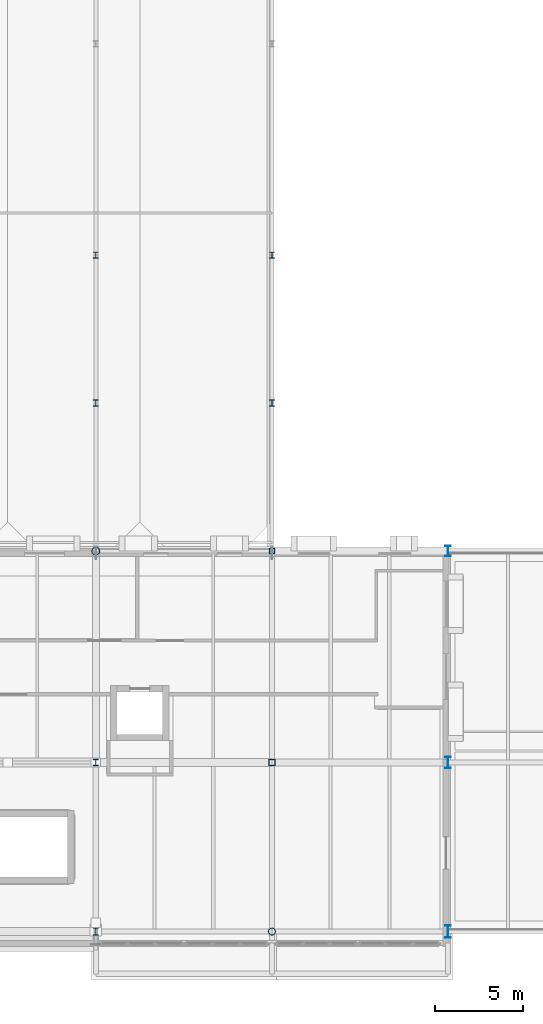
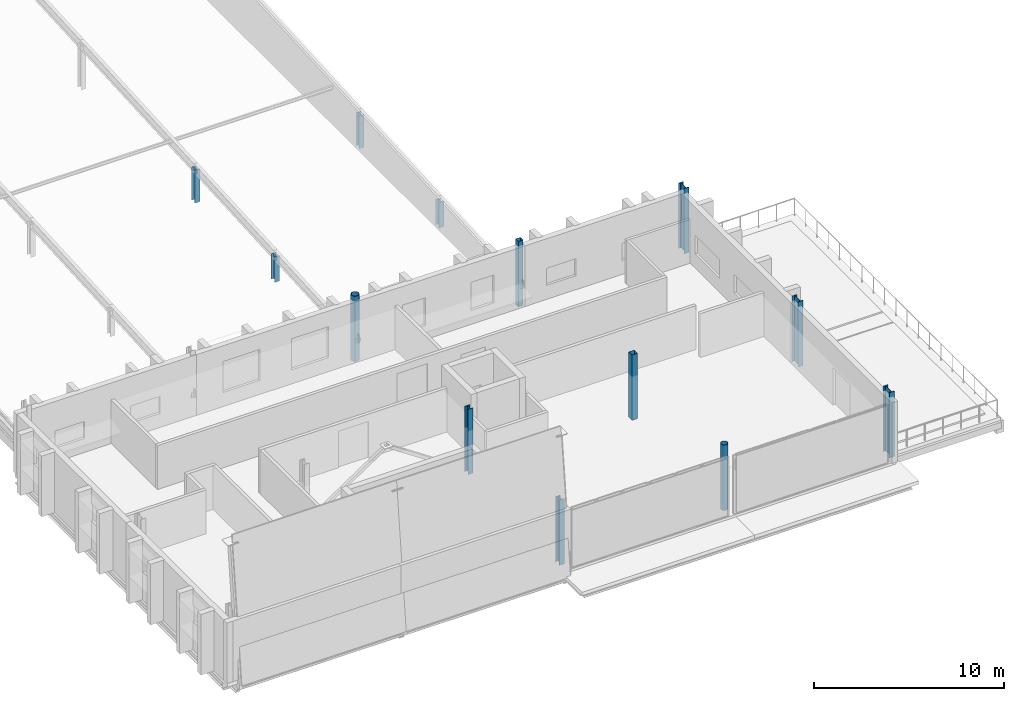
# One storey, part 11 of 57: 13 columns.
"""IFC4 building model written with IfcOpenShell, lengths in metres."""

from ifc_helpers import new_model, si_unit, direction, frame, origin, origin_2d, place, context, subcontext, project, spatial, hollow_rectangle, hollow_circle, i_section, extrude, material, material_profile, profile_set, type_object, element, save


model = new_model("IFC4")

# Units and contexts
model_context = context("Model", 3, precision=1e-05, world=origin(), true_north=direction((0.0, 1.0)))
body_context = subcontext(model_context, "Body", "Model", "MODEL_VIEW")
ifc_project = project(units=[si_unit("LENGTHUNIT", "METRE"), si_unit("AREAUNIT", "SQUARE_METRE"), si_unit("VOLUMEUNIT", "CUBIC_METRE"), si_unit("PLANEANGLEUNIT", "RADIAN"), si_unit("MASSUNIT", "GRAM", prefix="KILO")], contexts=[model_context])

# Site, building, storey
site_placement = place(None, origin())
site = spatial("IfcSite", under=ifc_project, at=site_placement, CompositionType="ELEMENT")
building_placement = place(site_placement, origin())
building = spatial("IfcBuilding", under=site, at=building_placement, Name="Zereglee Splitstone Museum", CompositionType="ELEMENT")
storey_placement = place(building_placement, frame((0.0, 0.0, 17.10009765625)))
storey = spatial("IfcBuildingStorey", under=building, at=storey_placement, Name="L03", CompositionType="ELEMENT", Elevation=17.10009765625)

# Columns
ifc_material_1 = material(Name="Steel S355J2H", Category="steel")
ifc_material_profile_1 = material_profile(ifc_material_1, hollow_circle(Radius=0.203125, WallThickness=0.02001953125, at=origin_2d()), Name="CHS 406.4x20")
ifc_profile_set_1 = profile_set([ifc_material_profile_1], Name="Steel S355J2H")
column_type_1 = type_object("IfcColumnType", Name="C-18", PredefinedType="COLUMN", material=ifc_profile_set_1)
column_1_placement = place(storey_placement, frame((205.199951171875, 0.0, 0.0), z_axis=(0.0, 0.0, 1.0), x_axis=(1.0, 0.0, 0.0)))
element("IfcColumn", 1, at=column_1_placement, inside=storey, type_object=column_type_1, Name="Column 23/A L03", PredefinedType="COLUMN", context=body_context, shape_type="SweptSolid", body=[
    extrude(hollow_circle(Radius=0.203125, WallThickness=0.02001953125, at=origin_2d()), origin(), (0.0, 0.0, 1.0), 4.199951171875),
])
ifc_material_profile_2 = material_profile(ifc_material_1, hollow_circle(Radius=0.228515625, WallThickness=0.02001953125, at=origin_2d()), Name="CHS 457.0x20")
ifc_profile_set_2 = profile_set([ifc_material_profile_2], Name="Steel S355J2H")
column_type_2 = type_object("IfcColumnType", Name="C-17", PredefinedType="COLUMN", material=ifc_profile_set_2)
column_2_placement = place(storey_placement, frame((195.199951171875, 21.60009765625, 0.0), z_axis=(0.0, 0.0, 1.0), x_axis=(1.0, 0.0, 0.0)))
element("IfcColumn", 2, at=column_2_placement, inside=storey, type_object=column_type_2, Name="Column 22/C L03", PredefinedType="COLUMN", context=body_context, shape_type="SweptSolid", body=[
    extrude(hollow_circle(Radius=0.228515625, WallThickness=0.02001953125, at=origin_2d()), origin(), (0.0, 0.0, 1.0), 4.199951171875),
])
ifc_material_2 = material(Name="Steel S355J2", Category="steel")
ifc_material_profile_3 = material_profile(ifc_material_2, i_section(OverallWidth=0.300048828125, OverallDepth=0.360107421875, WebThickness=0.012451171875, FlangeThickness=0.0224609375, FilletRadius=0.027099609375, at=origin_2d()), Name="HE 360 B")
ifc_profile_set_3 = profile_set([ifc_material_profile_3], Name="Steel S355J2")
column_type_3 = type_object("IfcColumnType", Name="C-16", PredefinedType="COLUMN", material=ifc_profile_set_3)
column_3_placement = place(storey_placement, frame((195.199951171875, 9.60009765625, 0.0), z_axis=(0.0, 0.0, 1.0), x_axis=(1.0, 0.0, 0.0)))
element("IfcColumn", 3, at=column_3_placement, inside=storey, type_object=column_type_3, Name="Column 22/B L03", PredefinedType="COLUMN", context=body_context, shape_type="SweptSolid", body=[
    extrude(i_section(OverallWidth=0.300048828125, OverallDepth=0.360107421875, WebThickness=0.012451171875, FlangeThickness=0.0224609375, FilletRadius=0.027099609375, at=origin_2d()), origin(), (0.0, 0.0, 1.0), 4.199951171875),
])
column_4_placement = place(storey_placement, frame((195.199951171875, 30.0, 0.0), z_axis=(0.0, 0.0, 1.0), x_axis=(1.0, 0.0, 0.0)))
element("IfcColumn", 4, at=column_4_placement, inside=storey, type_object=column_type_3, Name="Roof Support Column RF-V4 (195.2,30.0)", PredefinedType="COLUMN", context=body_context, shape_type="SweptSolid", body=[
    extrude(i_section(OverallWidth=0.300048828125, OverallDepth=0.360107421875, WebThickness=0.012451171875, FlangeThickness=0.0224609375, FilletRadius=0.027099609375, at=origin_2d()), origin(), (0.0, 0.0, 1.0), 1.640380859375),
])
column_5_placement = place(storey_placement, frame((195.199951171875, 38.39990234375, 0.0), z_axis=(0.0, 0.0, 1.0), x_axis=(1.0, 0.0, 0.0)))
element("IfcColumn", 5, at=column_5_placement, inside=storey, type_object=column_type_3, Name="Roof Support Column RF-V4 (195.2,38.4)", PredefinedType="COLUMN", context=body_context, shape_type="SweptSolid", body=[
    extrude(i_section(OverallWidth=0.300048828125, OverallDepth=0.360107421875, WebThickness=0.012451171875, FlangeThickness=0.0224609375, FilletRadius=0.027099609375, at=origin_2d()), origin(), (0.0, 0.0, 1.0), 2.12158203125),
])
column_6_placement = place(storey_placement, frame((205.199951171875, 30.0, 0.0), z_axis=(0.0, 0.0, 1.0), x_axis=(1.0, 0.0, 0.0)))
element("IfcColumn", 6, at=column_6_placement, inside=storey, type_object=column_type_3, Name="Roof Support Column RF-V4 (205.2,30.0)", PredefinedType="COLUMN", context=body_context, shape_type="SweptSolid", body=[
    extrude(i_section(OverallWidth=0.300048828125, OverallDepth=0.360107421875, WebThickness=0.012451171875, FlangeThickness=0.0224609375, FilletRadius=0.027099609375, at=origin_2d()), origin(), (0.0, 0.0, 1.0), 1.640380859375),
])
column_7_placement = place(storey_placement, frame((205.199951171875, 38.39990234375, 0.0), z_axis=(0.0, 0.0, 1.0), x_axis=(1.0, 0.0, 0.0)))
element("IfcColumn", 7, at=column_7_placement, inside=storey, type_object=column_type_3, Name="Roof Support Column RF-V4 (205.2,38.4)", PredefinedType="COLUMN", context=body_context, shape_type="SweptSolid", body=[
    extrude(i_section(OverallWidth=0.300048828125, OverallDepth=0.360107421875, WebThickness=0.012451171875, FlangeThickness=0.0224609375, FilletRadius=0.027099609375, at=origin_2d()), origin(), (0.0, 0.0, 1.0), 2.12158203125),
])
ifc_material_profile_4 = material_profile(ifc_material_2, i_section(OverallWidth=0.300048828125, OverallDepth=0.39990234375, WebThickness=0.013427734375, FlangeThickness=0.02392578125, FilletRadius=0.027099609375, at=origin_2d()), Name="HE 400 B")
ifc_profile_set_4 = profile_set([ifc_material_profile_4], Name="Steel S355J2")
column_type_4 = type_object("IfcColumnType", Name="C-15", PredefinedType="COLUMN", material=ifc_profile_set_4)
column_8_placement = place(storey_placement, frame((195.199951171875, 0.0, 0.0), z_axis=(0.0, 0.0, 1.0), x_axis=(1.0, 0.0, 0.0)))
element("IfcColumn", 8, at=column_8_placement, inside=storey, type_object=column_type_4, Name="Column 22/A L03", PredefinedType="COLUMN", context=body_context, shape_type="SweptSolid", body=[
    extrude(i_section(OverallWidth=0.300048828125, OverallDepth=0.39990234375, WebThickness=0.013427734375, FlangeThickness=0.02392578125, FilletRadius=0.027099609375, at=origin_2d()), origin(), (0.0, 0.0, 1.0), 4.199951171875),
])
ifc_material_profile_5 = material_profile(ifc_material_2, i_section(OverallWidth=0.300048828125, OverallDepth=0.60009765625, WebThickness=0.015380859375, FlangeThickness=0.030029296875, FilletRadius=0.027099609375, at=origin_2d()), Name="HE 600 B")
ifc_profile_set_5 = profile_set([ifc_material_profile_5], Name="Steel S355J2")
column_type_5 = type_object("IfcColumnType", Name="C-11", PredefinedType="COLUMN", material=ifc_profile_set_5)
column_9_placement = place(storey_placement, frame((215.199951171875, 21.60009765625, 0.0), z_axis=(0.0, 0.0, 1.0), x_axis=(1.0, 0.0, 0.0)))
element("IfcColumn", 9, at=column_9_placement, inside=storey, type_object=column_type_5, Name="Column 24/C L03", PredefinedType="COLUMN", context=body_context, shape_type="SweptSolid", body=[
    extrude(i_section(OverallWidth=0.300048828125, OverallDepth=0.60009765625, WebThickness=0.015380859375, FlangeThickness=0.030029296875, FilletRadius=0.027099609375, at=origin_2d()), origin(), (0.0, 0.0, 1.0), 4.199951171875),
])
ifc_material_profile_6 = material_profile(ifc_material_2, i_section(OverallWidth=0.300048828125, OverallDepth=0.64990234375, WebThickness=0.01611328125, FlangeThickness=0.031005859375, FilletRadius=0.027099609375, at=origin_2d()), Name="HE 650 B")
ifc_profile_set_6 = profile_set([ifc_material_profile_6], Name="Steel S355J2")
column_type_6 = type_object("IfcColumnType", Name="C-10", PredefinedType="COLUMN", material=ifc_profile_set_6)
column_10_placement = place(storey_placement, frame((215.199951171875, 9.60009765625, 0.0), z_axis=(0.0, 0.0, 1.0), x_axis=(1.0, 0.0, 0.0)))
element("IfcColumn", 10, at=column_10_placement, inside=storey, type_object=column_type_6, Name="Column 24/B L03", PredefinedType="COLUMN", context=body_context, shape_type="SweptSolid", body=[
    extrude(i_section(OverallWidth=0.300048828125, OverallDepth=0.64990234375, WebThickness=0.01611328125, FlangeThickness=0.031005859375, FilletRadius=0.027099609375, at=origin_2d()), origin(), (0.0, 0.0, 1.0), 4.199951171875),
])
ifc_material_profile_7 = material_profile(ifc_material_2, i_section(OverallWidth=0.300048828125, OverallDepth=0.699951171875, WebThickness=0.01708984375, FlangeThickness=0.031982421875, FilletRadius=0.027099609375, at=origin_2d()), Name="HE 700 B")
ifc_profile_set_7 = profile_set([ifc_material_profile_7], Name="Steel S355J2")
column_type_7 = type_object("IfcColumnType", Name="C-09", PredefinedType="COLUMN", material=ifc_profile_set_7)
column_11_placement = place(storey_placement, frame((215.199951171875, 0.0, 0.0), z_axis=(0.0, 0.0, 1.0), x_axis=(1.0, 0.0, 0.0)))
element("IfcColumn", 11, at=column_11_placement, inside=storey, type_object=column_type_7, Name="Column 24/A L03", PredefinedType="COLUMN", context=body_context, shape_type="SweptSolid", body=[
    extrude(i_section(OverallWidth=0.300048828125, OverallDepth=0.699951171875, WebThickness=0.01708984375, FlangeThickness=0.031982421875, FilletRadius=0.027099609375, at=origin_2d()), origin(), (0.0, 0.0, 1.0), 4.199951171875),
])
ifc_material_profile_8 = material_profile(ifc_material_1, hollow_rectangle(XDim=0.300048828125, YDim=0.300048828125, WallThickness=0.01611328125, at=origin_2d()), Name="SHS 300x300x16")
ifc_profile_set_8 = profile_set([ifc_material_profile_8], Name="Steel S355J2H")
column_type_8 = type_object("IfcColumnType", Name="C-20", PredefinedType="COLUMN", material=ifc_profile_set_8)
column_12_placement = place(storey_placement, frame((205.199951171875, 21.60009765625, 0.0), z_axis=(0.0, 0.0, 1.0), x_axis=(1.0, 0.0, 0.0)))
element("IfcColumn", 12, at=column_12_placement, inside=storey, type_object=column_type_8, Name="Column 23/C L03", PredefinedType="COLUMN", context=body_context, shape_type="SweptSolid", body=[
    extrude(hollow_rectangle(XDim=0.300048828125, YDim=0.300048828125, WallThickness=0.01611328125, at=origin_2d()), origin(), (0.0, 0.0, 1.0), 4.199951171875),
])
ifc_material_profile_9 = material_profile(ifc_material_1, hollow_rectangle(XDim=0.35009765625, YDim=0.35009765625, WallThickness=0.01611328125, at=origin_2d()), Name="SHS 350x350x16")
ifc_profile_set_9 = profile_set([ifc_material_profile_9], Name="Steel S355J2H")
column_type_9 = type_object("IfcColumnType", Name="C-19", PredefinedType="COLUMN", material=ifc_profile_set_9)
column_13_placement = place(storey_placement, frame((205.199951171875, 9.60009765625, 0.0), z_axis=(0.0, 0.0, 1.0), x_axis=(1.0, 0.0, 0.0)))
element("IfcColumn", 13, at=column_13_placement, inside=storey, type_object=column_type_9, Name="Column 23/B L03", PredefinedType="COLUMN", context=body_context, shape_type="SweptSolid", body=[
    extrude(hollow_rectangle(XDim=0.35009765625, YDim=0.35009765625, WallThickness=0.01611328125, at=origin_2d()), origin(), (0.0, 0.0, 1.0), 4.199951171875),
])

save(model, "model.ifc")
